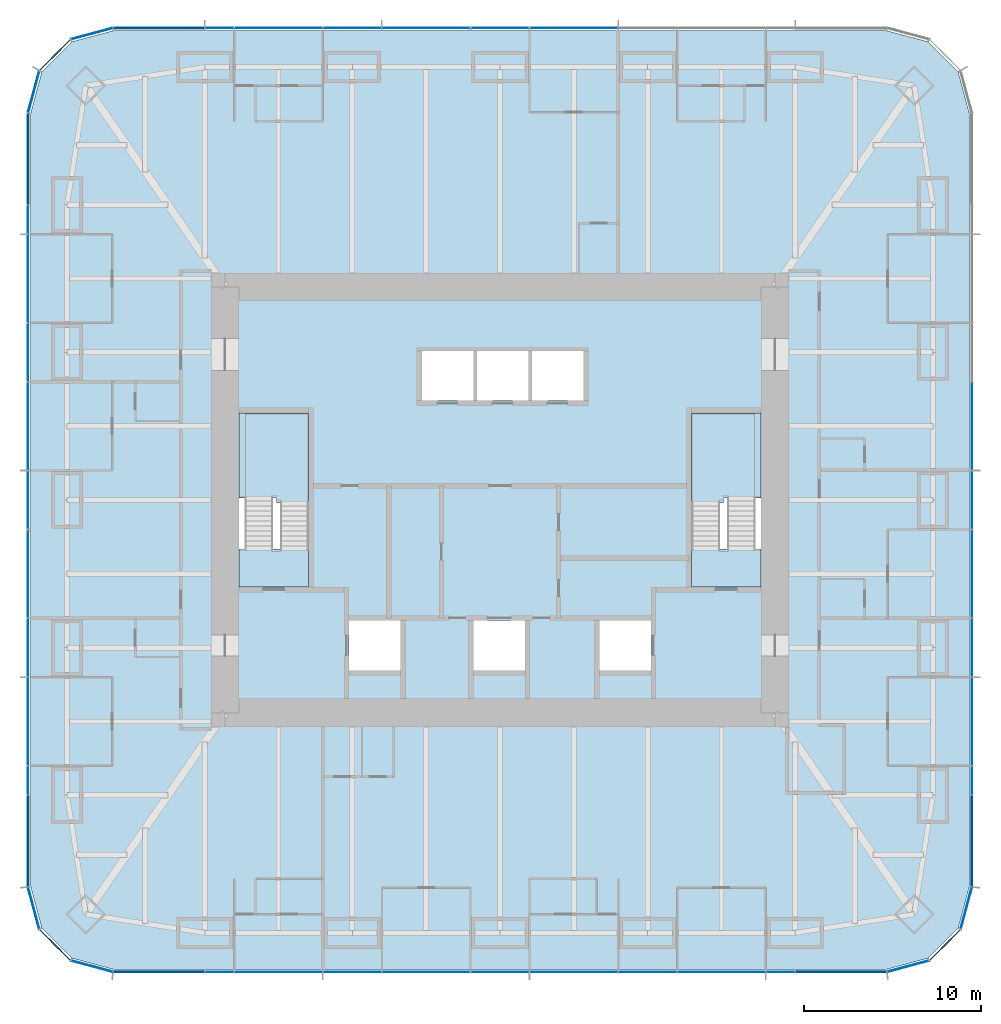
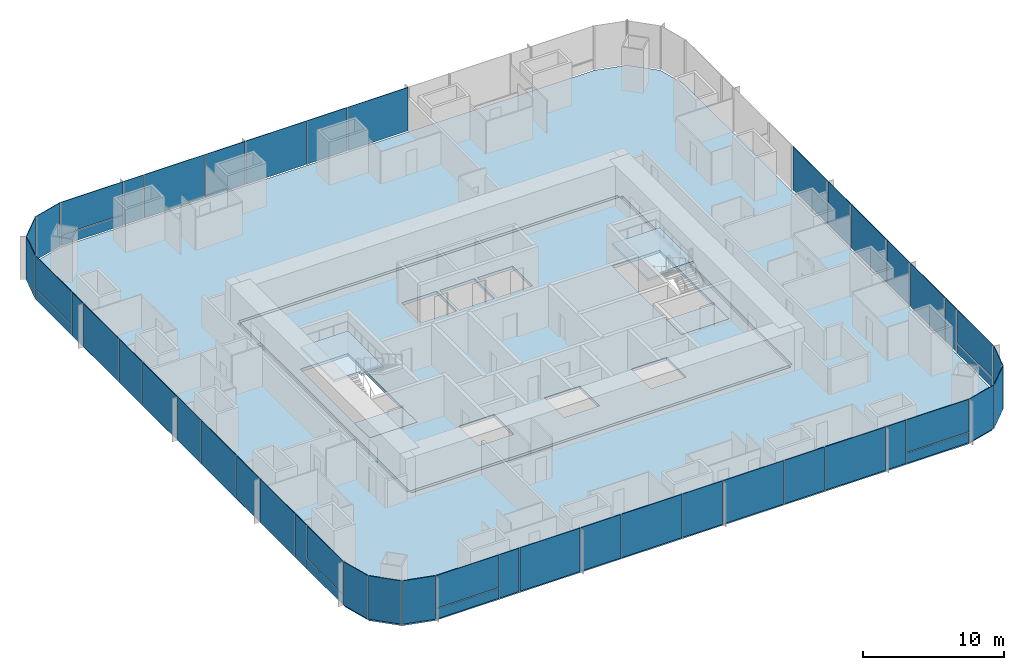
# One storey, part 7 of 12: 51 plates, 6 slabs, 9 elements without a shape of their own.
"""IFC4 building model written with IfcOpenShell, lengths in metres."""

from ifc_helpers import new_model, si_unit, direction, frame, origin, origin_2d, place, context, subcontext, project, spatial, polyline, rectangle, outline, extrude, material, layer, layer_set, type_object, element, aggregate, save


model = new_model("IFC4")

# Units and contexts
model_context = context("Model", 3, precision=1e-05, world=origin(), true_north=direction((0.0, 1.0)))
body_context = subcontext(model_context, "Body", "Model", "MODEL_VIEW")
ifc_project = project(units=[si_unit("LENGTHUNIT", "METRE"), si_unit("AREAUNIT", "SQUARE_METRE"), si_unit("VOLUMEUNIT", "CUBIC_METRE"), si_unit("PLANEANGLEUNIT", "RADIAN"), si_unit("MASSUNIT", "GRAM", prefix="KILO")], contexts=[model_context])

# Site, building, storey
site_placement = place(None, origin())
site = spatial("IfcSite", under=ifc_project, at=site_placement, CompositionType="ELEMENT")
building_placement = place(site_placement, origin())
building = spatial("IfcBuilding", under=site, at=building_placement, Name="Khuree Lantern Residences", CompositionType="ELEMENT")
storey_placement = place(building_placement, frame((0.0, 0.0, 207.0)))
storey = spatial("IfcBuildingStorey", under=building, at=storey_placement, Name="L51", CompositionType="ELEMENT", Elevation=207.0)

# Slab
ifc_material_1 = material(Name="Concrete C35/45", Category="concrete")
ifc_layer_1 = layer(ifc_material_1, 0.25)
ifc_layer_set_1 = layer_set([ifc_layer_1], Name="CFL250 CORE FLOOR SLAB 250")
slab_type_1 = type_object("IfcSlabType", Name="CFL250 CORE FLOOR SLAB 250", PredefinedType="FLOOR", material=ifc_layer_set_1)
slab_1_placement = place(storey_placement, frame((0.0, 0.0, -0.25)))
element("IfcSlab", 1, at=slab_1_placement, inside=storey, type_object=slab_type_1, Name="Core floor L51", PredefinedType="FLOOR", context=body_context, shape_type="SweptSolid", body=[
    extrude(outline(polyline([(-15.5, -12.0), (-15.5, 12.0), (15.5, 12.0), (15.5, -12.0), (-15.5, -12.0)]), holes=[polyline([(10.800048828125, 4.89990234375), (10.800048828125, -4.89990234375), (14.699951171875, -4.89990234375), (14.699951171875, 4.89990234375), (10.800048828125, 4.89990234375)]), polyline([(5.60009765625, -6.800048828125), (5.60009765625, -9.60009765625), (8.5, -9.60009765625), (8.5, -6.800048828125), (5.60009765625, -6.800048828125)]), polyline([(1.800048828125, 8.39990234375), (1.800048828125, 5.60009765625), (4.699951171875, 5.60009765625), (4.699951171875, 8.39990234375), (1.800048828125, 8.39990234375)]), polyline([(-1.300048828125, 8.39990234375), (-1.300048828125, 5.60009765625), (1.60009765625, 5.60009765625), (1.60009765625, 8.39990234375), (-1.300048828125, 8.39990234375)]), polyline([(-1.5, -6.800048828125), (-1.5, -9.60009765625), (1.39990234375, -9.60009765625), (1.39990234375, -6.800048828125), (-1.5, -6.800048828125)]), polyline([(-4.39990234375, 8.39990234375), (-4.39990234375, 5.60009765625), (-1.5, 5.60009765625), (-1.5, 8.39990234375), (-4.39990234375, 8.39990234375)]), polyline([(-8.5, -6.800048828125), (-8.5, -9.60009765625), (-5.60009765625, -9.60009765625), (-5.60009765625, -6.800048828125), (-8.5, -6.800048828125)]), polyline([(-14.699951171875, 4.89990234375), (-14.699951171875, -4.89990234375), (-10.800048828125, -4.89990234375), (-10.800048828125, 4.89990234375), (-14.699951171875, 4.89990234375)])]), origin(), (0.0, 0.0, 1.0), 0.25),
])

# Curtain wall, plates
ifc_material_2 = material(Name="Bronze anodised aluminium", Category="aluminium")
curtain_wall_type_1 = type_object("IfcCurtainWallType", Name="CW-T2 TOWER CORNER CURTAIN WALL", PredefinedType="USERDEFINED", material=ifc_material_2)
curtain_wall_1_placement = place(storey_placement, origin())
curtain_wall_1 = element("IfcCurtainWall", 2, at=curtain_wall_1_placement, inside=storey, type_object=curtain_wall_type_1, Name="L51 SOUTH-EAST CORNER CURTAIN WALL", ObjectType="Faceted corner curtain wall", PredefinedType="USERDEFINED")
ifc_material_3 = material(Name="Bronze tinted triple glazing", Category="glass")
ifc_layer_2 = layer(ifc_material_3, 0.048095703125)
ifc_layer_set_2 = layer_set([ifc_layer_2], Name="FACET PANEL P4")
plate_type_1 = type_object("IfcPlateType", Name="FACET PANEL P4", PredefinedType="CURTAIN_PANEL", material=ifc_layer_set_2)
plate_1_placement = place(storey_placement, frame((22.998046875, -26.279052734375, 0.0), z_axis=(0.0, 0.0, 1.0), x_axis=(0.965925832509, 0.258819021888, 0.0)))
plate_1 = element("IfcPlate", 3, at=plate_1_placement, type_object=plate_type_1, Name="L51 SOUTH-EAST CORNER PANEL 1.1", PredefinedType="CURTAIN_PANEL", context=body_context, shape_type="SweptSolid", body=[
    extrude(rectangle(XDim=2.40869140625, YDim=0.048095703125, at=origin_2d()), origin(), (0.0, 0.0, 1.0), 3.75),
])
plate_2_placement = place(storey_placement, frame((25.078369140625, -25.078369140625, 0.0), z_axis=(0.0, 0.0, 1.0), x_axis=(0.707106781187, 0.707106781187, 0.0)))
plate_2 = element("IfcPlate", 4, at=plate_2_placement, type_object=plate_type_1, Name="L51 SOUTH-EAST CORNER PANEL 2.1", PredefinedType="CURTAIN_PANEL", context=body_context, shape_type="SweptSolid", body=[
    extrude(rectangle(XDim=2.404541015625, YDim=0.048095703125, at=origin_2d()), origin(), (0.0, 0.0, 1.0), 3.75),
])
plate_3_placement = place(storey_placement, frame((26.279052734375, -22.998046875, 0.0), z_axis=(0.0, 0.0, 1.0), x_axis=(0.258819021888, 0.965925832509, 0.0)))
plate_3 = element("IfcPlate", 5, at=plate_3_placement, type_object=plate_type_1, Name="L51 SOUTH-EAST CORNER PANEL 3.1", PredefinedType="CURTAIN_PANEL", context=body_context, shape_type="SweptSolid", body=[
    extrude(rectangle(XDim=2.40869140625, YDim=0.048095703125, at=origin_2d()), origin(), (0.0, 0.0, 1.0), 3.75),
])
aggregate(curtain_wall_1, [plate_1, plate_2, plate_3])

curtain_wall_2_placement = place(storey_placement, origin())
curtain_wall_2 = element("IfcCurtainWall", 6, at=curtain_wall_2_placement, inside=storey, type_object=curtain_wall_type_1, Name="L51 NORTH-WEST CORNER CURTAIN WALL", ObjectType="Faceted corner curtain wall", PredefinedType="USERDEFINED")
plate_4_placement = place(storey_placement, frame((-22.998046875, 26.279052734375, 0.0), z_axis=(0.0, 0.0, 1.0), x_axis=(-0.965925832509, -0.258819021888, 0.0)))
plate_4 = element("IfcPlate", 7, at=plate_4_placement, type_object=plate_type_1, Name="L51 NORTH-WEST CORNER PANEL 29.1", PredefinedType="CURTAIN_PANEL", context=body_context, shape_type="SweptSolid", body=[
    extrude(rectangle(XDim=2.40869140625, YDim=0.048095703125, at=origin_2d()), origin(), (0.0, 0.0, 1.0), 3.75),
])
plate_5_placement = place(storey_placement, frame((-25.078369140625, 25.078369140625, 0.0), z_axis=(0.0, 0.0, 1.0), x_axis=(-0.707106781187, -0.707106781187, 0.0)))
plate_5 = element("IfcPlate", 8, at=plate_5_placement, type_object=plate_type_1, Name="L51 NORTH-WEST CORNER PANEL 30.1", PredefinedType="CURTAIN_PANEL", context=body_context, shape_type="SweptSolid", body=[
    extrude(rectangle(XDim=2.404541015625, YDim=0.048095703125, at=origin_2d()), origin(), (0.0, 0.0, 1.0), 3.75),
])
plate_6_placement = place(storey_placement, frame((-26.279052734375, 22.998046875, 0.0), z_axis=(0.0, 0.0, 1.0), x_axis=(-0.258819021888, -0.965925832509, 0.0)))
plate_6 = element("IfcPlate", 9, at=plate_6_placement, type_object=plate_type_1, Name="L51 NORTH-WEST CORNER PANEL 31.1", PredefinedType="CURTAIN_PANEL", context=body_context, shape_type="SweptSolid", body=[
    extrude(rectangle(XDim=2.40869140625, YDim=0.048095703125, at=origin_2d()), origin(), (0.0, 0.0, 1.0), 3.75),
])
aggregate(curtain_wall_2, [plate_4, plate_5, plate_6])

curtain_wall_3_placement = place(storey_placement, origin())
curtain_wall_3 = element("IfcCurtainWall", 10, at=curtain_wall_3_placement, inside=storey, type_object=curtain_wall_type_1, Name="L51 SOUTH-WEST CORNER CURTAIN WALL", ObjectType="Faceted corner curtain wall", PredefinedType="USERDEFINED")
plate_7_placement = place(storey_placement, frame((-26.279052734375, -22.998046875, 0.0), z_axis=(0.0, 0.0, 1.0), x_axis=(0.258819021888, -0.965925832509, 0.0)))
plate_7 = element("IfcPlate", 11, at=plate_7_placement, type_object=plate_type_1, Name="L51 SOUTH-WEST CORNER PANEL 43.1", PredefinedType="CURTAIN_PANEL", context=body_context, shape_type="SweptSolid", body=[
    extrude(rectangle(XDim=2.40869140625, YDim=0.048095703125, at=origin_2d()), origin(), (0.0, 0.0, 1.0), 3.75),
])
plate_8_placement = place(storey_placement, frame((-25.078369140625, -25.078369140625, 0.0), z_axis=(0.0, 0.0, 1.0), x_axis=(0.707106781187, -0.707106781187, 0.0)))
plate_8 = element("IfcPlate", 12, at=plate_8_placement, type_object=plate_type_1, Name="L51 SOUTH-WEST CORNER PANEL 44.1", PredefinedType="CURTAIN_PANEL", context=body_context, shape_type="SweptSolid", body=[
    extrude(rectangle(XDim=2.404541015625, YDim=0.048095703125, at=origin_2d()), origin(), (0.0, 0.0, 1.0), 3.75),
])
plate_9_placement = place(storey_placement, frame((-22.998046875, -26.279052734375, 0.0), z_axis=(0.0, 0.0, 1.0), x_axis=(0.965925832509, -0.258819021888, 0.0)))
plate_9 = element("IfcPlate", 13, at=plate_9_placement, type_object=plate_type_1, Name="L51 SOUTH-WEST CORNER PANEL 45.1", PredefinedType="CURTAIN_PANEL", context=body_context, shape_type="SweptSolid", body=[
    extrude(rectangle(XDim=2.40869140625, YDim=0.048095703125, at=origin_2d()), origin(), (0.0, 0.0, 1.0), 3.75),
])
aggregate(curtain_wall_3, [plate_7, plate_8, plate_9])

curtain_wall_type_2 = type_object("IfcCurtainWallType", Name="CW-T1 TOWER FACE CURTAIN WALL", PredefinedType="USERDEFINED", material=ifc_material_2)
curtain_wall_4_placement = place(storey_placement, origin())
curtain_wall_4 = element("IfcCurtainWall", 14, at=curtain_wall_4_placement, inside=storey, type_object=curtain_wall_type_2, Name="L51 EAST FACE CURTAIN WALL", ObjectType="Stick-built curtain wall", PredefinedType="USERDEFINED")
ifc_material_4 = material(Name="Bronze tinted triple glazing with a ceramic-fritted spandrel band", Category="glass")
ifc_layer_3 = layer(ifc_material_4, 0.048095703125)
ifc_layer_set_3 = layer_set([ifc_layer_3], Name="FIXED LIGHT PANEL P11")
plate_type_2 = type_object("IfcPlateType", Name="FIXED LIGHT PANEL P11", PredefinedType="CURTAIN_PANEL", material=ifc_layer_set_3)
plate_10_placement = place(storey_placement, frame((26.60009765625, -12.47998046875, 0.0), z_axis=(0.0, 0.0, 1.0), x_axis=(0.0, 1.0, 0.0)))
plate_10 = element("IfcPlate", 15, at=plate_10_placement, type_object=plate_type_2, Name="L51 EAST FACE PANEL 6.1", PredefinedType="CURTAIN_PANEL", context=body_context, shape_type="SweptSolid", body=[
    extrude(rectangle(XDim=4.927001953125, YDim=0.048095703125, at=origin_2d()), origin(), (0.0, 0.0, 1.0), 3.75),
])
plate_11_placement = place(storey_placement, frame((26.60009765625, -4.159912109375, 0.0), z_axis=(0.0, 0.0, 1.0), x_axis=(0.0, 1.0, 0.0)))
plate_11 = element("IfcPlate", 16, at=plate_11_placement, type_object=plate_type_2, Name="L51 EAST FACE PANEL 8.1", PredefinedType="CURTAIN_PANEL", context=body_context, shape_type="SweptSolid", body=[
    extrude(rectangle(XDim=4.927001953125, YDim=0.048095703125, at=origin_2d()), origin(), (0.0, 0.0, 1.0), 3.75),
])
plate_12_placement = place(storey_placement, frame((26.60009765625, 4.159912109375, 0.0), z_axis=(0.0, 0.0, 1.0), x_axis=(0.0, 1.0, 0.0)))
plate_12 = element("IfcPlate", 17, at=plate_12_placement, type_object=plate_type_2, Name="L51 EAST FACE PANEL 10.1", PredefinedType="CURTAIN_PANEL", context=body_context, shape_type="SweptSolid", body=[
    extrude(rectangle(XDim=4.927001953125, YDim=0.048095703125, at=origin_2d()), origin(), (0.0, 0.0, 1.0), 3.75),
])

curtain_wall_5_placement = place(storey_placement, origin())
curtain_wall_5 = element("IfcCurtainWall", 18, at=curtain_wall_5_placement, inside=storey, type_object=curtain_wall_type_2, Name="L51 NORTH FACE CURTAIN WALL", ObjectType="Stick-built curtain wall", PredefinedType="USERDEFINED")
plate_13_placement = place(storey_placement, frame((4.159912109375, 26.60009765625, 0.0), z_axis=(0.0, 0.0, 1.0), x_axis=(-1.0, 0.0, 0.0)))
plate_13 = element("IfcPlate", 19, at=plate_13_placement, type_object=plate_type_2, Name="L51 NORTH FACE PANEL 22.1", PredefinedType="CURTAIN_PANEL", context=body_context, shape_type="SweptSolid", body=[
    extrude(rectangle(XDim=4.927001953125, YDim=0.048095703125, at=origin_2d()), origin(), (0.0, 0.0, 1.0), 3.75),
])
plate_14_placement = place(storey_placement, frame((-4.159912109375, 26.60009765625, 0.0), z_axis=(0.0, 0.0, 1.0), x_axis=(-1.0, 0.0, 0.0)))
plate_14 = element("IfcPlate", 20, at=plate_14_placement, type_object=plate_type_2, Name="L51 NORTH FACE PANEL 24.1", PredefinedType="CURTAIN_PANEL", context=body_context, shape_type="SweptSolid", body=[
    extrude(rectangle(XDim=4.927001953125, YDim=0.048095703125, at=origin_2d()), origin(), (0.0, 0.0, 1.0), 3.75),
])
plate_15_placement = place(storey_placement, frame((-12.47998046875, 26.60009765625, 0.0), z_axis=(0.0, 0.0, 1.0), x_axis=(-1.0, 0.0, 0.0)))
plate_15 = element("IfcPlate", 21, at=plate_15_placement, type_object=plate_type_2, Name="L51 NORTH FACE PANEL 26.1", PredefinedType="CURTAIN_PANEL", context=body_context, shape_type="SweptSolid", body=[
    extrude(rectangle(XDim=4.927001953125, YDim=0.048095703125, at=origin_2d()), origin(), (0.0, 0.0, 1.0), 3.75),
])

curtain_wall_6_placement = place(storey_placement, origin())
curtain_wall_6 = element("IfcCurtainWall", 22, at=curtain_wall_6_placement, inside=storey, type_object=curtain_wall_type_2, Name="L51 WEST FACE CURTAIN WALL", ObjectType="Stick-built curtain wall", PredefinedType="USERDEFINED")
plate_16_placement = place(storey_placement, frame((-26.60009765625, 12.47998046875, 0.0), z_axis=(0.0, 0.0, 1.0), x_axis=(0.0, -1.0, 0.0)))
plate_16 = element("IfcPlate", 23, at=plate_16_placement, type_object=plate_type_2, Name="L51 WEST FACE PANEL 34.1", PredefinedType="CURTAIN_PANEL", context=body_context, shape_type="SweptSolid", body=[
    extrude(rectangle(XDim=4.927001953125, YDim=0.048095703125, at=origin_2d()), origin(), (0.0, 0.0, 1.0), 3.75),
])
plate_17_placement = place(storey_placement, frame((-26.60009765625, 4.159912109375, 0.0), z_axis=(0.0, 0.0, 1.0), x_axis=(0.0, -1.0, 0.0)))
plate_17 = element("IfcPlate", 24, at=plate_17_placement, type_object=plate_type_2, Name="L51 WEST FACE PANEL 36.1", PredefinedType="CURTAIN_PANEL", context=body_context, shape_type="SweptSolid", body=[
    extrude(rectangle(XDim=4.927001953125, YDim=0.048095703125, at=origin_2d()), origin(), (0.0, 0.0, 1.0), 3.75),
])
plate_18_placement = place(storey_placement, frame((-26.60009765625, -4.159912109375, 0.0), z_axis=(0.0, 0.0, 1.0), x_axis=(0.0, -1.0, 0.0)))
plate_18 = element("IfcPlate", 25, at=plate_18_placement, type_object=plate_type_2, Name="L51 WEST FACE PANEL 38.1", PredefinedType="CURTAIN_PANEL", context=body_context, shape_type="SweptSolid", body=[
    extrude(rectangle(XDim=4.927001953125, YDim=0.048095703125, at=origin_2d()), origin(), (0.0, 0.0, 1.0), 3.75),
])
plate_19_placement = place(storey_placement, frame((-26.60009765625, -12.47998046875, 0.0), z_axis=(0.0, 0.0, 1.0), x_axis=(0.0, -1.0, 0.0)))
plate_19 = element("IfcPlate", 26, at=plate_19_placement, type_object=plate_type_2, Name="L51 WEST FACE PANEL 40.1", PredefinedType="CURTAIN_PANEL", context=body_context, shape_type="SweptSolid", body=[
    extrude(rectangle(XDim=4.927001953125, YDim=0.048095703125, at=origin_2d()), origin(), (0.0, 0.0, 1.0), 3.75),
])

curtain_wall_7_placement = place(storey_placement, origin())
curtain_wall_7 = element("IfcCurtainWall", 27, at=curtain_wall_7_placement, inside=storey, type_object=curtain_wall_type_2, Name="L51 SOUTH FACE CURTAIN WALL", ObjectType="Stick-built curtain wall", PredefinedType="USERDEFINED")
plate_20_placement = place(storey_placement, frame((-12.47998046875, -26.60009765625, 0.0), z_axis=(0.0, 0.0, 1.0), x_axis=(1.0, 0.0, 0.0)))
plate_20 = element("IfcPlate", 28, at=plate_20_placement, type_object=plate_type_2, Name="L51 SOUTH FACE PANEL 48.1", PredefinedType="CURTAIN_PANEL", context=body_context, shape_type="SweptSolid", body=[
    extrude(rectangle(XDim=4.927001953125, YDim=0.048095703125, at=origin_2d()), origin(), (0.0, 0.0, 1.0), 3.75),
])
plate_21_placement = place(storey_placement, frame((-4.159912109375, -26.60009765625, 0.0), z_axis=(0.0, 0.0, 1.0), x_axis=(1.0, 0.0, 0.0)))
plate_21 = element("IfcPlate", 29, at=plate_21_placement, type_object=plate_type_2, Name="L51 SOUTH FACE PANEL 50.1", PredefinedType="CURTAIN_PANEL", context=body_context, shape_type="SweptSolid", body=[
    extrude(rectangle(XDim=4.927001953125, YDim=0.048095703125, at=origin_2d()), origin(), (0.0, 0.0, 1.0), 3.75),
])
plate_22_placement = place(storey_placement, frame((4.159912109375, -26.60009765625, 0.0), z_axis=(0.0, 0.0, 1.0), x_axis=(1.0, 0.0, 0.0)))
plate_22 = element("IfcPlate", 30, at=plate_22_placement, type_object=plate_type_2, Name="L51 SOUTH FACE PANEL 52.1", PredefinedType="CURTAIN_PANEL", context=body_context, shape_type="SweptSolid", body=[
    extrude(rectangle(XDim=4.927001953125, YDim=0.048095703125, at=origin_2d()), origin(), (0.0, 0.0, 1.0), 3.75),
])
plate_23_placement = place(storey_placement, frame((12.47998046875, -26.60009765625, 0.0), z_axis=(0.0, 0.0, 1.0), x_axis=(1.0, 0.0, 0.0)))
plate_23 = element("IfcPlate", 31, at=plate_23_placement, type_object=plate_type_2, Name="L51 SOUTH FACE PANEL 54.1", PredefinedType="CURTAIN_PANEL", context=body_context, shape_type="SweptSolid", body=[
    extrude(rectangle(XDim=4.927001953125, YDim=0.048095703125, at=origin_2d()), origin(), (0.0, 0.0, 1.0), 3.75),
])

# Slab
ifc_layer_4 = layer(ifc_material_1, 0.25)
ifc_layer_set_4 = layer_set([ifc_layer_4], Name="FS250 FLOOR SLAB 250")
slab_type_2 = type_object("IfcSlabType", Name="FS250 FLOOR SLAB 250", PredefinedType="FLOOR", material=ifc_layer_set_4)
slab_2_placement = place(storey_placement, frame((0.0, 0.0, -0.25)))
element("IfcSlab", 32, at=slab_2_placement, inside=storey, type_object=slab_type_2, Name="Floor slab L51", PredefinedType="FLOOR", context=body_context, shape_type="SweptSolid", body=[
    extrude(outline(polyline([(-24.125, -25.826904296875), (-25.826904296875, -24.125), (-26.449951171875, -21.800048828125), (-26.449951171875, 21.800048828125), (-25.826904296875, 24.125), (-24.125, 25.826904296875), (-21.800048828125, 26.449951171875), (21.800048828125, 26.449951171875), (24.125, 25.826904296875), (25.826904296875, 24.125), (26.449951171875, 21.800048828125), (26.449951171875, -21.800048828125), (25.826904296875, -24.125), (24.125, -25.826904296875), (21.800048828125, -26.449951171875), (-21.800048828125, -26.449951171875), (-24.125, -25.826904296875)]), holes=[polyline([(15.75, 12.0), (15.5, 12.0), (15.5, 12.25), (-15.5, 12.25), (-15.5, 12.0), (-15.75, 12.0), (-15.75, -12.0), (-15.5, -12.0), (-15.5, -12.25), (15.5, -12.25), (15.5, -12.0), (15.75, -12.0), (15.75, 12.0)])]), origin(), (0.0, 0.0, 1.0), 0.25),
])

# Plate
ifc_material_5 = material(Name="Bronze tinted triple glazing, two aluminium-framed sashes in one frame", Category="aluminium")
ifc_layer_5 = layer(ifc_material_5, 0.048095703125)
ifc_layer_set_5 = layer_set([ifc_layer_5], Name="SASH PAIR PANEL P12")
plate_type_3 = type_object("IfcPlateType", Name="SASH PAIR PANEL P12", PredefinedType="CURTAIN_PANEL", material=ifc_layer_set_5)
plate_24_placement = place(storey_placement, frame((26.60009765625, -8.320068359375, 0.0), z_axis=(0.0, 0.0, 1.0), x_axis=(0.0, 1.0, 0.0)))
plate_24 = element("IfcPlate", 33, at=plate_24_placement, type_object=plate_type_3, Name="L51 EAST FACE PANEL 7.1", PredefinedType="CURTAIN_PANEL", context=body_context, shape_type="SweptSolid", body=[
    extrude(rectangle(XDim=3.262939453125, YDim=0.048095703125, at=origin_2d()), origin(), (0.0, 0.0, 1.0), 3.75),
])

plate_25_placement = place(storey_placement, frame((26.60009765625, 0.0, 0.0), z_axis=(0.0, 0.0, 1.0), x_axis=(0.0, 1.0, 0.0)))
plate_25 = element("IfcPlate", 34, at=plate_25_placement, type_object=plate_type_3, Name="L51 EAST FACE PANEL 9.1", PredefinedType="CURTAIN_PANEL", context=body_context, shape_type="SweptSolid", body=[
    extrude(rectangle(XDim=3.262939453125, YDim=0.048095703125, at=origin_2d()), origin(), (0.0, 0.0, 1.0), 3.75),
])

plate_26_placement = place(storey_placement, frame((0.0, 26.60009765625, 0.0), z_axis=(0.0, 0.0, 1.0), x_axis=(-1.0, 0.0, 0.0)))
plate_26 = element("IfcPlate", 35, at=plate_26_placement, type_object=plate_type_3, Name="L51 NORTH FACE PANEL 23.1", PredefinedType="CURTAIN_PANEL", context=body_context, shape_type="SweptSolid", body=[
    extrude(rectangle(XDim=3.262939453125, YDim=0.048095703125, at=origin_2d()), origin(), (0.0, 0.0, 1.0), 3.75),
])

plate_27_placement = place(storey_placement, frame((-8.320068359375, 26.60009765625, 0.0), z_axis=(0.0, 0.0, 1.0), x_axis=(-1.0, 0.0, 0.0)))
plate_27 = element("IfcPlate", 36, at=plate_27_placement, type_object=plate_type_3, Name="L51 NORTH FACE PANEL 25.1", PredefinedType="CURTAIN_PANEL", context=body_context, shape_type="SweptSolid", body=[
    extrude(rectangle(XDim=3.262939453125, YDim=0.048095703125, at=origin_2d()), origin(), (0.0, 0.0, 1.0), 3.75),
])

plate_28_placement = place(storey_placement, frame((-26.60009765625, 8.320068359375, 0.0), z_axis=(0.0, 0.0, 1.0), x_axis=(0.0, -1.0, 0.0)))
plate_28 = element("IfcPlate", 37, at=plate_28_placement, type_object=plate_type_3, Name="L51 WEST FACE PANEL 35.1", PredefinedType="CURTAIN_PANEL", context=body_context, shape_type="SweptSolid", body=[
    extrude(rectangle(XDim=3.262939453125, YDim=0.048095703125, at=origin_2d()), origin(), (0.0, 0.0, 1.0), 3.75),
])

plate_29_placement = place(storey_placement, frame((-26.60009765625, 0.0, 0.0), z_axis=(0.0, 0.0, 1.0), x_axis=(0.0, -1.0, 0.0)))
plate_29 = element("IfcPlate", 38, at=plate_29_placement, type_object=plate_type_3, Name="L51 WEST FACE PANEL 37.1", PredefinedType="CURTAIN_PANEL", context=body_context, shape_type="SweptSolid", body=[
    extrude(rectangle(XDim=3.262939453125, YDim=0.048095703125, at=origin_2d()), origin(), (0.0, 0.0, 1.0), 3.75),
])

plate_30_placement = place(storey_placement, frame((-26.60009765625, -8.320068359375, 0.0), z_axis=(0.0, 0.0, 1.0), x_axis=(0.0, -1.0, 0.0)))
plate_30 = element("IfcPlate", 39, at=plate_30_placement, type_object=plate_type_3, Name="L51 WEST FACE PANEL 39.1", PredefinedType="CURTAIN_PANEL", context=body_context, shape_type="SweptSolid", body=[
    extrude(rectangle(XDim=3.262939453125, YDim=0.048095703125, at=origin_2d()), origin(), (0.0, 0.0, 1.0), 3.75),
])

plate_31_placement = place(storey_placement, frame((-8.320068359375, -26.60009765625, 0.0), z_axis=(0.0, 0.0, 1.0), x_axis=(1.0, 0.0, 0.0)))
plate_31 = element("IfcPlate", 40, at=plate_31_placement, type_object=plate_type_3, Name="L51 SOUTH FACE PANEL 49.1", PredefinedType="CURTAIN_PANEL", context=body_context, shape_type="SweptSolid", body=[
    extrude(rectangle(XDim=3.262939453125, YDim=0.048095703125, at=origin_2d()), origin(), (0.0, 0.0, 1.0), 3.75),
])

plate_32_placement = place(storey_placement, frame((0.0, -26.60009765625, 0.0), z_axis=(0.0, 0.0, 1.0), x_axis=(1.0, 0.0, 0.0)))
plate_32 = element("IfcPlate", 41, at=plate_32_placement, type_object=plate_type_3, Name="L51 SOUTH FACE PANEL 51.1", PredefinedType="CURTAIN_PANEL", context=body_context, shape_type="SweptSolid", body=[
    extrude(rectangle(XDim=3.262939453125, YDim=0.048095703125, at=origin_2d()), origin(), (0.0, 0.0, 1.0), 3.75),
])

plate_33_placement = place(storey_placement, frame((8.320068359375, -26.60009765625, 0.0), z_axis=(0.0, 0.0, 1.0), x_axis=(1.0, 0.0, 0.0)))
plate_33 = element("IfcPlate", 42, at=plate_33_placement, type_object=plate_type_3, Name="L51 SOUTH FACE PANEL 53.1", PredefinedType="CURTAIN_PANEL", context=body_context, shape_type="SweptSolid", body=[
    extrude(rectangle(XDim=3.262939453125, YDim=0.048095703125, at=origin_2d()), origin(), (0.0, 0.0, 1.0), 3.75),
])

ifc_material_6 = material(Name="Bronze tinted triple glazing, aluminium-framed sash", Category="aluminium")
ifc_layer_6 = layer(ifc_material_6, 0.048095703125)
ifc_layer_set_6 = layer_set([ifc_layer_6], Name="SASH PANEL P3")
plate_type_4 = type_object("IfcPlateType", Name="SASH PANEL P3", PredefinedType="CURTAIN_PANEL", material=ifc_layer_set_6)
plate_34_placement = place(storey_placement, frame((26.60009765625, -15.80810546875, 0.0), z_axis=(0.0, 0.0, 1.0), x_axis=(0.0, 1.0, 0.0)))
plate_34 = element("IfcPlate", 43, at=plate_34_placement, type_object=plate_type_4, Name="L51 EAST FACE PANEL 5.1", PredefinedType="CURTAIN_PANEL", context=body_context, shape_type="SweptSolid", body=[
    extrude(rectangle(XDim=1.59912109375, YDim=0.048095703125, at=origin_2d()), origin(), (0.0, 0.0, 1.0), 3.75),
])

plate_35_placement = place(storey_placement, frame((-15.80810546875, 26.60009765625, 0.0), z_axis=(0.0, 0.0, 1.0), x_axis=(-1.0, 0.0, 0.0)))
plate_35 = element("IfcPlate", 44, at=plate_35_placement, type_object=plate_type_4, Name="L51 NORTH FACE PANEL 27.1", PredefinedType="CURTAIN_PANEL", context=body_context, shape_type="SweptSolid", body=[
    extrude(rectangle(XDim=1.59912109375, YDim=0.048095703125, at=origin_2d()), origin(), (0.0, 0.0, 1.0), 3.75),
])

plate_36_placement = place(storey_placement, frame((-26.60009765625, 15.80810546875, 0.0), z_axis=(0.0, 0.0, 1.0), x_axis=(0.0, -1.0, 0.0)))
plate_36 = element("IfcPlate", 45, at=plate_36_placement, type_object=plate_type_4, Name="L51 WEST FACE PANEL 33.1", PredefinedType="CURTAIN_PANEL", context=body_context, shape_type="SweptSolid", body=[
    extrude(rectangle(XDim=1.59912109375, YDim=0.048095703125, at=origin_2d()), origin(), (0.0, 0.0, 1.0), 3.75),
])

plate_37_placement = place(storey_placement, frame((-26.60009765625, -15.80810546875, 0.0), z_axis=(0.0, 0.0, 1.0), x_axis=(0.0, -1.0, 0.0)))
plate_37 = element("IfcPlate", 46, at=plate_37_placement, type_object=plate_type_4, Name="L51 WEST FACE PANEL 41.1", PredefinedType="CURTAIN_PANEL", context=body_context, shape_type="SweptSolid", body=[
    extrude(rectangle(XDim=1.59912109375, YDim=0.048095703125, at=origin_2d()), origin(), (0.0, 0.0, 1.0), 3.75),
])

plate_38_placement = place(storey_placement, frame((-15.80810546875, -26.60009765625, 0.0), z_axis=(0.0, 0.0, 1.0), x_axis=(1.0, 0.0, 0.0)))
plate_38 = element("IfcPlate", 47, at=plate_38_placement, type_object=plate_type_4, Name="L51 SOUTH FACE PANEL 47.1", PredefinedType="CURTAIN_PANEL", context=body_context, shape_type="SweptSolid", body=[
    extrude(rectangle(XDim=1.59912109375, YDim=0.048095703125, at=origin_2d()), origin(), (0.0, 0.0, 1.0), 3.75),
])

plate_39_placement = place(storey_placement, frame((15.80810546875, -26.60009765625, 0.0), z_axis=(0.0, 0.0, 1.0), x_axis=(1.0, 0.0, 0.0)))
plate_39 = element("IfcPlate", 48, at=plate_39_placement, type_object=plate_type_4, Name="L51 SOUTH FACE PANEL 55.1", PredefinedType="CURTAIN_PANEL", context=body_context, shape_type="SweptSolid", body=[
    extrude(rectangle(XDim=1.59912109375, YDim=0.048095703125, at=origin_2d()), origin(), (0.0, 0.0, 1.0), 3.75),
])

ifc_material_7 = material(Name="Bronze anodised aluminium insulated spandrel", Category="aluminium")
ifc_layer_7 = layer(ifc_material_7, 0.06005859375)
ifc_layer_set_7 = layer_set([ifc_layer_7], Name="SPANDREL PANEL P2")
plate_type_5 = type_object("IfcPlateType", Name="SPANDREL PANEL P2", PredefinedType="CURTAIN_PANEL", material=ifc_layer_set_7)
plate_40_placement = place(storey_placement, frame((26.60009765625, -19.2177734375, 0.0), z_axis=(0.0, 0.0, 1.0), x_axis=(0.0, 1.0, 0.0)))
plate_40 = element("IfcPlate", 49, at=plate_40_placement, type_object=plate_type_5, Name="L51 EAST FACE PANEL 4.1", PredefinedType="CURTAIN_PANEL", context=body_context, shape_type="SweptSolid", body=[
    extrude(rectangle(XDim=5.0908203125, YDim=0.06005859375, at=origin_2d()), origin(), (0.0, 0.0, 1.0), 0.867431640625),
])

plate_41_placement = place(storey_placement, frame((-19.2177734375, 26.60009765625, 0.0), z_axis=(0.0, 0.0, 1.0), x_axis=(-1.0, 0.0, 0.0)))
plate_41 = element("IfcPlate", 50, at=plate_41_placement, type_object=plate_type_5, Name="L51 NORTH FACE PANEL 28.1", PredefinedType="CURTAIN_PANEL", context=body_context, shape_type="SweptSolid", body=[
    extrude(rectangle(XDim=5.0908203125, YDim=0.06005859375, at=origin_2d()), origin(), (0.0, 0.0, 1.0), 0.867431640625),
])

plate_42_placement = place(storey_placement, frame((-26.60009765625, 19.2177734375, 0.0), z_axis=(0.0, 0.0, 1.0), x_axis=(0.0, -1.0, 0.0)))
plate_42 = element("IfcPlate", 51, at=plate_42_placement, type_object=plate_type_5, Name="L51 WEST FACE PANEL 32.1", PredefinedType="CURTAIN_PANEL", context=body_context, shape_type="SweptSolid", body=[
    extrude(rectangle(XDim=5.0908203125, YDim=0.06005859375, at=origin_2d()), origin(), (0.0, 0.0, 1.0), 0.867431640625),
])

plate_43_placement = place(storey_placement, frame((-26.60009765625, -19.2177734375, 0.0), z_axis=(0.0, 0.0, 1.0), x_axis=(0.0, -1.0, 0.0)))
plate_43 = element("IfcPlate", 52, at=plate_43_placement, type_object=plate_type_5, Name="L51 WEST FACE PANEL 42.1", PredefinedType="CURTAIN_PANEL", context=body_context, shape_type="SweptSolid", body=[
    extrude(rectangle(XDim=5.0908203125, YDim=0.06005859375, at=origin_2d()), origin(), (0.0, 0.0, 1.0), 0.867431640625),
])

plate_44_placement = place(storey_placement, frame((-19.2177734375, -26.60009765625, 0.0), z_axis=(0.0, 0.0, 1.0), x_axis=(1.0, 0.0, 0.0)))
plate_44 = element("IfcPlate", 53, at=plate_44_placement, type_object=plate_type_5, Name="L51 SOUTH FACE PANEL 46.1", PredefinedType="CURTAIN_PANEL", context=body_context, shape_type="SweptSolid", body=[
    extrude(rectangle(XDim=5.0908203125, YDim=0.06005859375, at=origin_2d()), origin(), (0.0, 0.0, 1.0), 0.867431640625),
])

plate_45_placement = place(storey_placement, frame((19.2177734375, -26.60009765625, 0.0), z_axis=(0.0, 0.0, 1.0), x_axis=(1.0, 0.0, 0.0)))
plate_45 = element("IfcPlate", 54, at=plate_45_placement, type_object=plate_type_5, Name="L51 SOUTH FACE PANEL 56.1", PredefinedType="CURTAIN_PANEL", context=body_context, shape_type="SweptSolid", body=[
    extrude(rectangle(XDim=5.0908203125, YDim=0.06005859375, at=origin_2d()), origin(), (0.0, 0.0, 1.0), 0.867431640625),
])

# Stair, slabs
ifc_material_8 = material(Name="Concrete C40/50", Category="concrete")
stair_type = type_object("IfcStairType", Name="STAIR ST1 HALF TURN 3600", PredefinedType="HALF_TURN_STAIR", material=ifc_material_8)
stair_1_placement = place(storey_placement, origin())
stair_1 = element("IfcStair", 55, at=stair_1_placement, inside=storey, type_object=stair_type, Name="Stair ST1", PredefinedType="HALF_TURN_STAIR")
ifc_layer_8 = layer(ifc_material_8, 0.199951171875)
ifc_layer_set_8 = layer_set([ifc_layer_8], Name="STAIR LANDING SL1 200")
slab_type_3 = type_object("IfcSlabType", Name="STAIR LANDING SL1 200", PredefinedType="LANDING", material=ifc_layer_set_8)
slab_3_placement = place(storey_placement, frame((0.0, 0.0, -0.199951171875)))
slab_3 = element("IfcSlab", 56, at=slab_3_placement, type_object=slab_type_3, Name="ST1 landing 1", PredefinedType="LANDING", context=body_context, shape_type="SweptSolid", body=[
    extrude(outline(polyline([(-14.699951171875, -4.89990234375), (-10.800048828125, -4.89990234375), (-10.800048828125, -2.760009765625), (-14.699951171875, -2.760009765625), (-14.699951171875, -4.89990234375)])), origin(), (0.0, 0.0, 1.0), 0.199951171875),
])
slab_4_placement = place(storey_placement, frame((0.0, 0.0, 1.756591796875)))
slab_4 = element("IfcSlab", 57, at=slab_4_placement, type_object=slab_type_3, Name="ST1 landing 2", PredefinedType="LANDING", context=body_context, shape_type="SweptSolid", body=[
    extrude(outline(polyline([(-14.699951171875, 0.1201171875), (-14.699951171875, 4.89990234375), (-10.800048828125, 4.89990234375), (-10.800048828125, -0.159912109375), (-12.60009765625, -0.159912109375), (-12.60009765625, 0.1201171875), (-14.699951171875, 0.1201171875)])), origin(), (0.0, 0.0, 1.0), 0.199951171875),
])
aggregate(stair_1, [slab_3, slab_4])

stair_2_placement = place(storey_placement, origin())
stair_2 = element("IfcStair", 58, at=stair_2_placement, inside=storey, type_object=stair_type, Name="Stair ST2", PredefinedType="HALF_TURN_STAIR")
slab_5_placement = place(storey_placement, frame((0.0, 0.0, -0.199951171875)))
slab_5 = element("IfcSlab", 59, at=slab_5_placement, type_object=slab_type_3, Name="ST2 landing 1", PredefinedType="LANDING", context=body_context, shape_type="SweptSolid", body=[
    extrude(outline(polyline([(10.800048828125, -4.89990234375), (14.699951171875, -4.89990234375), (14.699951171875, -2.760009765625), (10.800048828125, -2.760009765625), (10.800048828125, -4.89990234375)])), origin(), (0.0, 0.0, 1.0), 0.199951171875),
])
slab_6_placement = place(storey_placement, frame((0.0, 0.0, 1.756591796875)))
slab_6 = element("IfcSlab", 60, at=slab_6_placement, type_object=slab_type_3, Name="ST2 landing 2", PredefinedType="LANDING", context=body_context, shape_type="SweptSolid", body=[
    extrude(outline(polyline([(14.699951171875, 4.89990234375), (14.699951171875, 0.1201171875), (12.60009765625, 0.1201171875), (12.60009765625, -0.159912109375), (10.800048828125, -0.159912109375), (10.800048828125, 4.89990234375), (14.699951171875, 4.89990234375)])), origin(), (0.0, 0.0, 1.0), 0.199951171875),
])
aggregate(stair_2, [slab_5, slab_6])

# Plate
ifc_layer_9 = layer(ifc_material_3, 0.048095703125)
ifc_layer_set_9 = layer_set([ifc_layer_9], Name="VISION PANEL P1")
plate_type_6 = type_object("IfcPlateType", Name="VISION PANEL P1", PredefinedType="CURTAIN_PANEL", material=ifc_layer_set_9)
plate_46_placement = place(storey_placement, frame((26.60009765625, -19.21826171875, 0.9326171875), z_axis=(0.0, 0.0, 1.0), x_axis=(0.0, 1.0, 0.0)))
plate_46 = element("IfcPlate", 61, at=plate_46_placement, type_object=plate_type_6, Name="L51 EAST FACE PANEL 4.2", PredefinedType="CURTAIN_PANEL", context=body_context, shape_type="SweptSolid", body=[
    extrude(rectangle(XDim=5.091552734375, YDim=0.048095703125, at=origin_2d()), origin(), (0.0, 0.0, 1.0), 2.8173828125),
])

aggregate(curtain_wall_4, [plate_40, plate_46, plate_34, plate_10, plate_24, plate_11, plate_25, plate_12])

plate_47_placement = place(storey_placement, frame((-19.21826171875, 26.60009765625, 0.9326171875), z_axis=(0.0, 0.0, 1.0), x_axis=(-1.0, 0.0, 0.0)))
plate_47 = element("IfcPlate", 62, at=plate_47_placement, type_object=plate_type_6, Name="L51 NORTH FACE PANEL 28.2", PredefinedType="CURTAIN_PANEL", context=body_context, shape_type="SweptSolid", body=[
    extrude(rectangle(XDim=5.091552734375, YDim=0.048095703125, at=origin_2d()), origin(), (0.0, 0.0, 1.0), 2.8173828125),
])

aggregate(curtain_wall_5, [plate_13, plate_26, plate_14, plate_27, plate_15, plate_35, plate_41, plate_47])

plate_48_placement = place(storey_placement, frame((-26.60009765625, 19.21826171875, 0.9326171875), z_axis=(0.0, 0.0, 1.0), x_axis=(0.0, -1.0, 0.0)))
plate_48 = element("IfcPlate", 63, at=plate_48_placement, type_object=plate_type_6, Name="L51 WEST FACE PANEL 32.2", PredefinedType="CURTAIN_PANEL", context=body_context, shape_type="SweptSolid", body=[
    extrude(rectangle(XDim=5.091552734375, YDim=0.048095703125, at=origin_2d()), origin(), (0.0, 0.0, 1.0), 2.8173828125),
])

plate_49_placement = place(storey_placement, frame((-26.60009765625, -19.21826171875, 0.9326171875), z_axis=(0.0, 0.0, 1.0), x_axis=(0.0, -1.0, 0.0)))
plate_49 = element("IfcPlate", 64, at=plate_49_placement, type_object=plate_type_6, Name="L51 WEST FACE PANEL 42.2", PredefinedType="CURTAIN_PANEL", context=body_context, shape_type="SweptSolid", body=[
    extrude(rectangle(XDim=5.091552734375, YDim=0.048095703125, at=origin_2d()), origin(), (0.0, 0.0, 1.0), 2.8173828125),
])

aggregate(curtain_wall_6, [plate_42, plate_48, plate_36, plate_16, plate_28, plate_17, plate_29, plate_18, plate_30, plate_19, plate_37, plate_43, plate_49])

plate_50_placement = place(storey_placement, frame((-19.21826171875, -26.60009765625, 0.9326171875), z_axis=(0.0, 0.0, 1.0), x_axis=(1.0, 0.0, 0.0)))
plate_50 = element("IfcPlate", 65, at=plate_50_placement, type_object=plate_type_6, Name="L51 SOUTH FACE PANEL 46.2", PredefinedType="CURTAIN_PANEL", context=body_context, shape_type="SweptSolid", body=[
    extrude(rectangle(XDim=5.091552734375, YDim=0.048095703125, at=origin_2d()), origin(), (0.0, 0.0, 1.0), 2.8173828125),
])

plate_51_placement = place(storey_placement, frame((19.21826171875, -26.60009765625, 0.9326171875), z_axis=(0.0, 0.0, 1.0), x_axis=(1.0, 0.0, 0.0)))
plate_51 = element("IfcPlate", 66, at=plate_51_placement, type_object=plate_type_6, Name="L51 SOUTH FACE PANEL 56.2", PredefinedType="CURTAIN_PANEL", context=body_context, shape_type="SweptSolid", body=[
    extrude(rectangle(XDim=5.091552734375, YDim=0.048095703125, at=origin_2d()), origin(), (0.0, 0.0, 1.0), 2.8173828125),
])

aggregate(curtain_wall_7, [plate_44, plate_50, plate_38, plate_20, plate_31, plate_21, plate_32, plate_22, plate_33, plate_23, plate_39, plate_45, plate_51])

save(model, "model.ifc")
